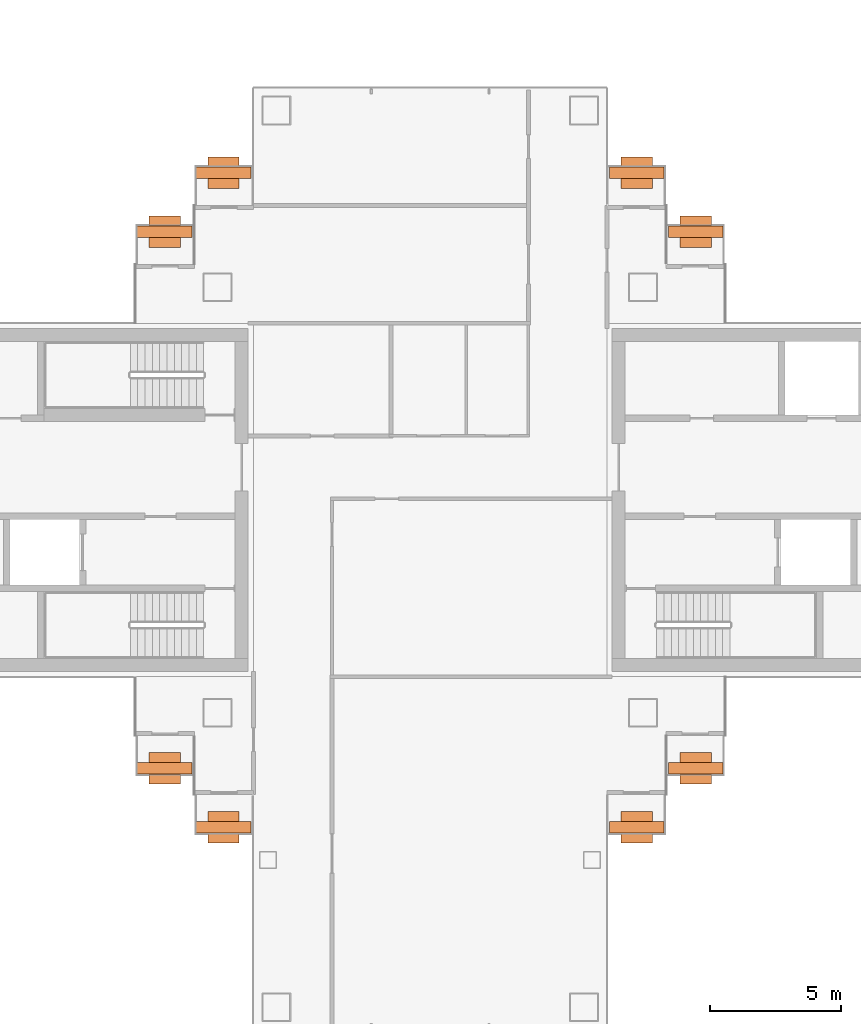
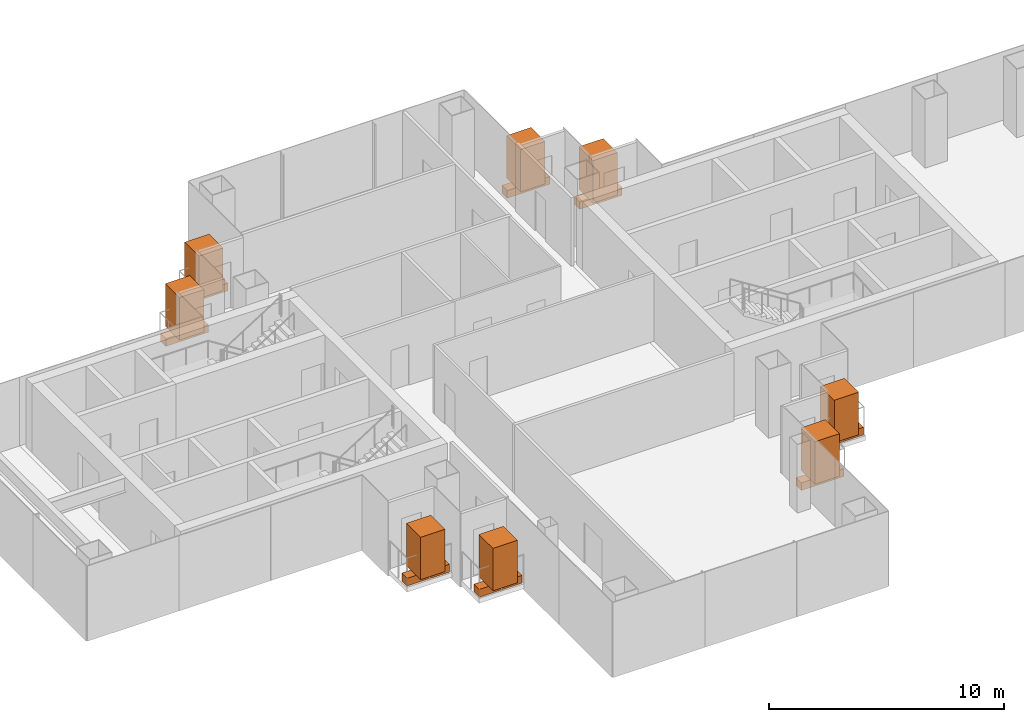
# One storey, part 16 of 16: 8 geographic elements, 8 proxies.
"""IFC4 building model written with IfcOpenShell, lengths in metres."""

from ifc_helpers import new_model, si_unit, direction, frame, origin, origin_2d, place, context, subcontext, project, spatial, rectangle, extrude, material, type_object, element, save


model = new_model("IFC4")

# Units and contexts
model_context = context("Model", 3, precision=1e-05, world=origin(), true_north=direction((0.0, 1.0)))
body_context = subcontext(model_context, "Body", "Model", "MODEL_VIEW")
ifc_project = project(units=[si_unit("LENGTHUNIT", "METRE"), si_unit("AREAUNIT", "SQUARE_METRE"), si_unit("VOLUMEUNIT", "CUBIC_METRE"), si_unit("PLANEANGLEUNIT", "RADIAN"), si_unit("MASSUNIT", "GRAM", prefix="KILO")], contexts=[model_context])

# Site, building, storey
site_placement = place(None, origin())
site = spatial("IfcSite", under=ifc_project, at=site_placement, CompositionType="ELEMENT")
building_placement = place(site_placement, origin())
building = spatial("IfcBuilding", under=site, at=building_placement, Name="Shamsa Quay Exchange Towers", CompositionType="ELEMENT")
storey_placement = place(building_placement, frame((0.0, 0.0, 154.5)))
storey = spatial("IfcBuildingStorey", under=building, at=storey_placement, Name="L36", CompositionType="ELEMENT", Elevation=154.5)

# Proxies
ifc_material_1 = material(Name="Reinforced concrete C30/37, black glass-fibre faced", Category="concrete")
building_element_proxy_type = type_object("IfcBuildingElementProxyType", Name="BALCONY PLANTER", PredefinedType="USERDEFINED", material=ifc_material_1)
for number, where, z_axis, x_axis, name in (
    (1, (-23.60595703125, 10.2451171875, 0.0), (0.0, 0.0, 1.0), (-1.0, 0.0, 0.0), "PLANTER T1-PKEN L36"),
    (2, (-25.85595703125, 12.4951171875, 0.0), (0.0, 0.0, 1.0), (-1.0, 0.0, 0.0), "PLANTER T1-PKEN L36"),
):
    element("IfcBuildingElementProxy", number, at=place(storey_placement, frame(where, z_axis=z_axis, x_axis=x_axis)), inside=storey, type_object=building_element_proxy_type, Name=name, ObjectType="PLANTER", PredefinedType="USERDEFINED", context=body_context, shape_type="SweptSolid", body=[
        extrude(rectangle(XDim=2.092041015625, YDim=0.449951171875, at=origin_2d()), origin(), (0.0, 0.0, 1.0), 0.39990234375),
    ])
for number, where, name in (
    (3, (-23.60595703125, -10.2451171875, 0.0), "PLANTER T1-PKES L36"),
    (4, (-25.85595703125, -12.4951171875, 0.0), "PLANTER T1-PKES L36"),
):
    element("IfcBuildingElementProxy", number, at=place(storey_placement, frame(where)), inside=storey, type_object=building_element_proxy_type, Name=name, ObjectType="PLANTER", PredefinedType="USERDEFINED", context=body_context, shape_type="SweptSolid", body=[
        extrude(rectangle(XDim=2.092041015625, YDim=0.449951171875, at=origin_2d()), origin(), (0.0, 0.0, 1.0), 0.39990234375),
    ])
for number, where, z_axis, x_axis, name in (
    (5, (-41.64404296875, 12.4951171875, 0.0), (0.0, 0.0, 1.0), (-1.0, 0.0, 0.0), "PLANTER T1-PKWN L36"),
    (6, (-43.89404296875, 10.2451171875, 0.0), (0.0, 0.0, 1.0), (-1.0, 0.0, 0.0), "PLANTER T1-PKWN L36"),
):
    element("IfcBuildingElementProxy", number, at=place(storey_placement, frame(where, z_axis=z_axis, x_axis=x_axis)), inside=storey, type_object=building_element_proxy_type, Name=name, ObjectType="PLANTER", PredefinedType="USERDEFINED", context=body_context, shape_type="SweptSolid", body=[
        extrude(rectangle(XDim=2.092041015625, YDim=0.449951171875, at=origin_2d()), origin(), (0.0, 0.0, 1.0), 0.39990234375),
    ])
for number, where, name in (
    (7, (-43.89404296875, -10.2451171875, 0.0), "PLANTER T1-PKWS L36"),
    (8, (-41.64404296875, -12.4951171875, 0.0), "PLANTER T1-PKWS L36"),
):
    element("IfcBuildingElementProxy", number, at=place(storey_placement, frame(where)), inside=storey, type_object=building_element_proxy_type, Name=name, ObjectType="PLANTER", PredefinedType="USERDEFINED", context=body_context, shape_type="SweptSolid", body=[
        extrude(rectangle(XDim=2.092041015625, YDim=0.449951171875, at=origin_2d()), origin(), (0.0, 0.0, 1.0), 0.39990234375),
    ])

# Geographic elements
ifc_material_2 = material(Name="Planting")
geographic_element_type = type_object("IfcGeographicElementType", Name="BALCONY TREE", PredefinedType="USERDEFINED", material=ifc_material_2)
for number, where, z_axis, x_axis, name in (
    (9, (-23.60595703125, 10.2451171875, 0.39990234375), (0.0, 0.0, 1.0), (-1.0, 0.0, 0.0), "TREE T1-PKEN L36"),
    (10, (-25.85595703125, 12.4951171875, 0.39990234375), (0.0, 0.0, 1.0), (-1.0, 0.0, 0.0), "TREE T1-PKEN L36"),
):
    element("IfcGeographicElement", number, at=place(storey_placement, frame(where, z_axis=z_axis, x_axis=x_axis)), inside=storey, type_object=geographic_element_type, Name=name, ObjectType="TREE", PredefinedType="USERDEFINED", context=body_context, shape_type="SweptSolid", body=[
        extrude(rectangle(XDim=1.199951171875, YDim=1.199951171875, at=origin_2d()), origin(), (0.0, 0.0, 1.0), 2.199951171875),
    ])
for number, where, name in (
    (11, (-23.60595703125, -10.2451171875, 0.39990234375), "TREE T1-PKES L36"),
    (12, (-25.85595703125, -12.4951171875, 0.39990234375), "TREE T1-PKES L36"),
):
    element("IfcGeographicElement", number, at=place(storey_placement, frame(where)), inside=storey, type_object=geographic_element_type, Name=name, ObjectType="TREE", PredefinedType="USERDEFINED", context=body_context, shape_type="SweptSolid", body=[
        extrude(rectangle(XDim=1.199951171875, YDim=1.199951171875, at=origin_2d()), origin(), (0.0, 0.0, 1.0), 2.199951171875),
    ])
for number, where, z_axis, x_axis, name in (
    (13, (-41.64404296875, 12.4951171875, 0.39990234375), (0.0, 0.0, 1.0), (-1.0, 0.0, 0.0), "TREE T1-PKWN L36"),
    (14, (-43.89404296875, 10.2451171875, 0.39990234375), (0.0, 0.0, 1.0), (-1.0, 0.0, 0.0), "TREE T1-PKWN L36"),
):
    element("IfcGeographicElement", number, at=place(storey_placement, frame(where, z_axis=z_axis, x_axis=x_axis)), inside=storey, type_object=geographic_element_type, Name=name, ObjectType="TREE", PredefinedType="USERDEFINED", context=body_context, shape_type="SweptSolid", body=[
        extrude(rectangle(XDim=1.199951171875, YDim=1.199951171875, at=origin_2d()), origin(), (0.0, 0.0, 1.0), 2.199951171875),
    ])
for number, where, name in (
    (15, (-43.89404296875, -10.2451171875, 0.39990234375), "TREE T1-PKWS L36"),
    (16, (-41.64404296875, -12.4951171875, 0.39990234375), "TREE T1-PKWS L36"),
):
    element("IfcGeographicElement", number, at=place(storey_placement, frame(where)), inside=storey, type_object=geographic_element_type, Name=name, ObjectType="TREE", PredefinedType="USERDEFINED", context=body_context, shape_type="SweptSolid", body=[
        extrude(rectangle(XDim=1.199951171875, YDim=1.199951171875, at=origin_2d()), origin(), (0.0, 0.0, 1.0), 2.199951171875),
    ])

save(model, "model.ifc")
